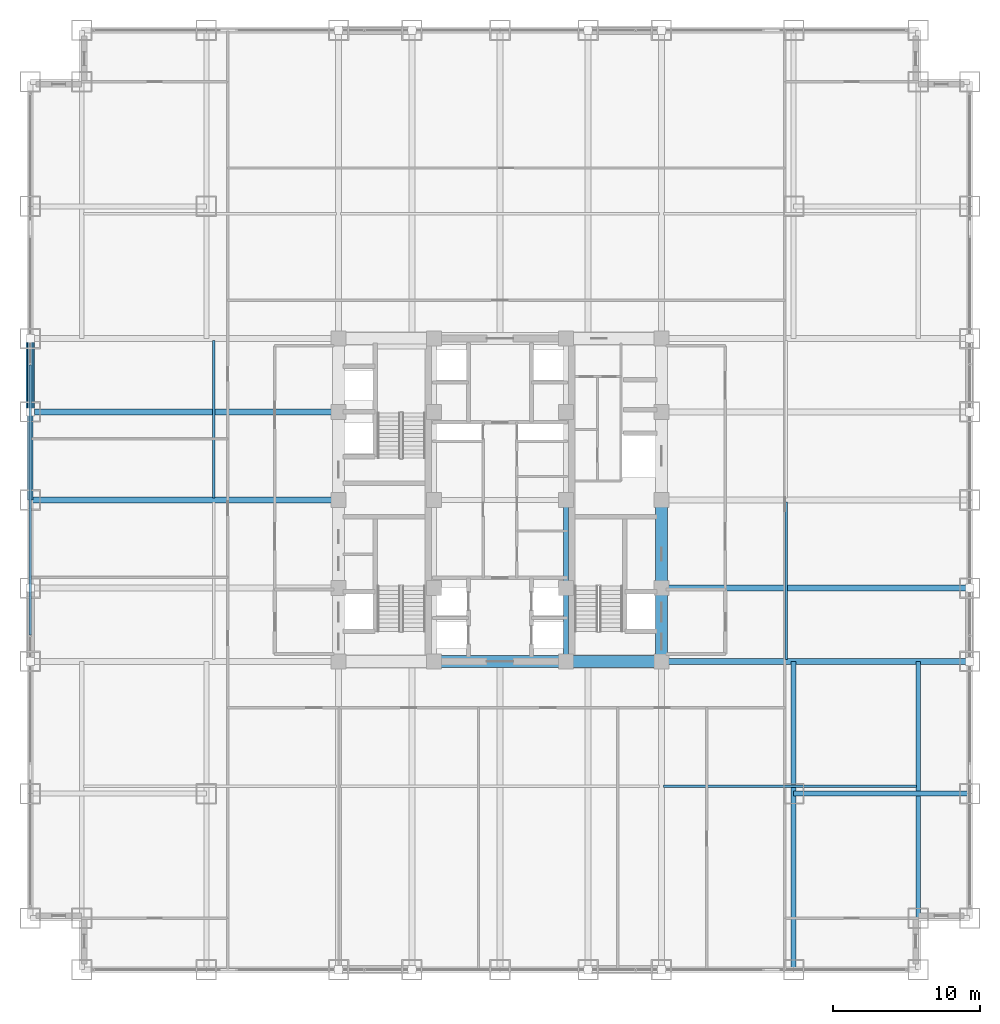
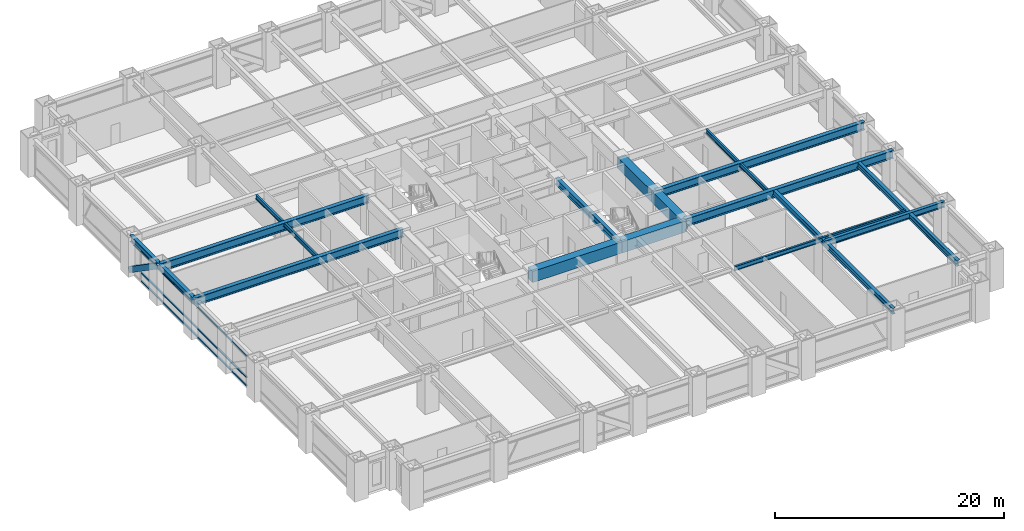
# One storey, part 11 of 27: 18 beams, 4 members, 1 element without a shape of its own.
"""IFC4 building model written with IfcOpenShell, lengths in metres."""

from ifc_helpers import new_model, si_unit, direction, frame, origin, origin_2d, place, context, subcontext, project, spatial, rectangle, hollow_rectangle, i_section, extrude, source, transform, mapped, material, material_profile, profile_set, type_object, element, aggregate, save


model = new_model("IFC4")

# Units and contexts
model_context = context("Model", 3, precision=1e-05, world=origin(), true_north=direction((0.0, 1.0)))
body_context = subcontext(model_context, "Body", "Model", "MODEL_VIEW")
ifc_project = project(units=[si_unit("LENGTHUNIT", "METRE"), si_unit("AREAUNIT", "SQUARE_METRE"), si_unit("VOLUMEUNIT", "CUBIC_METRE"), si_unit("PLANEANGLEUNIT", "RADIAN"), si_unit("MASSUNIT", "GRAM", prefix="KILO")], contexts=[model_context])

# Site, building, storey
site_placement = place(None, origin())
site = spatial("IfcSite", under=ifc_project, at=site_placement, CompositionType="ELEMENT")
building_placement = place(site_placement, origin())
building = spatial("IfcBuilding", under=site, at=building_placement, Name="Khorayat Bourse Tower", CompositionType="ELEMENT")
storey_placement = place(building_placement, frame((0.0, 0.0, 49.39990234375)))
storey = spatial("IfcBuildingStorey", under=building, at=storey_placement, Name="L10", CompositionType="ELEMENT", Elevation=49.39990234375)

# Beams
ifc_material_1 = material(Name="Concrete C72/90", Category="concrete")
ifc_material_profile_1 = material_profile(ifc_material_1, rectangle(XDim=0.800048828125, YDim=1.199951171875, at=origin_2d()), Name="RC 800x1200")
ifc_profile_set_1 = profile_set([ifc_material_profile_1], Name="Concrete C72/90")
beam_type_1 = type_object("IfcBeamType", Name="BM-COUP-1200", PredefinedType="BEAM", material=ifc_profile_set_1)
shared_shape_1 = source(origin(), body_context, "Body", "SweptSolid", [
    extrude(rectangle(XDim=0.800048828125, YDim=1.199951171875, at=origin_2d()), origin(), (0.0, 0.0, 1.0), 5.0),
])
beam_1_placement = place(storey_placement, frame((11.0, -11.0, 3.340087890625), z_axis=(0.0, 1.0, 0.0), x_axis=(-1.0, 0.0, 0.0)))
element("IfcBeam", 1, at=beam_1_placement, inside=storey, type_object=beam_type_1, Name="L10 BM-COUP-1200 BM-L10-CRX-13", PredefinedType="BEAM", context=body_context, shape_type="MappedRepresentation", body=[
    mapped(shared_shape_1, transform((0.0, 0.0, 0.0), scale=1.0)),
])
shared_shape_2 = source(origin(), body_context, "Body", "SweptSolid", [
    extrude(rectangle(XDim=0.800048828125, YDim=1.199951171875, at=origin_2d()), origin(), (0.0, 0.0, 1.0), 6.0),
])
beam_2_placement = place(storey_placement, frame((11.0, -6.0, 3.340087890625), z_axis=(0.0, 1.0, 0.0), x_axis=(-1.0, 0.0, 0.0)))
element("IfcBeam", 2, at=beam_2_placement, inside=storey, type_object=beam_type_1, Name="L10 BM-COUP-1200 BM-L10-CRX-14", PredefinedType="BEAM", context=body_context, shape_type="MappedRepresentation", body=[
    mapped(shared_shape_2, transform((0.0, 0.0, 0.0), scale=1.0)),
])
ifc_material_2 = material(Name="Steel ASTM A992 Grade 50", Category="steel")
ifc_material_profile_2 = material_profile(ifc_material_2, i_section(OverallWidth=0.35498046875, OverallDepth=0.695068359375, WebThickness=0.015380859375, FlangeThickness=0.02490234375, FilletRadius=0.01806640625, at=origin_2d()), Name="W690X217")
ifc_profile_set_2 = profile_set([ifc_material_profile_2], Name="Steel ASTM A992 Grade 50")
beam_type_2 = type_object("IfcBeamType", Name="BM-GIRD-690", PredefinedType="BEAM", material=ifc_profile_set_2)
shared_shape_3 = source(origin(), body_context, "Body", "SweptSolid", [
    extrude(i_section(OverallWidth=0.35498046875, OverallDepth=0.695068359375, WebThickness=0.015380859375, FlangeThickness=0.02490234375, FilletRadius=0.01806640625, at=origin_2d()), origin(), (0.0, 0.0, 1.0), 5.0),
])
beam_3_placement = place(storey_placement, frame((4.5, -11.0, 3.592529296875), z_axis=(0.0, 1.0, 0.0), x_axis=(-1.0, 0.0, 0.0)))
element("IfcBeam", 3, at=beam_3_placement, inside=storey, type_object=beam_type_2, Name="L10 BM-GIRD-690 BM-L10-CRX-09", PredefinedType="BEAM", context=body_context, shape_type="MappedRepresentation", body=[
    mapped(shared_shape_3, transform((0.0, 0.0, 0.0), scale=1.0)),
])
shared_shape_4 = source(origin(), body_context, "Body", "SweptSolid", [
    extrude(i_section(OverallWidth=0.35498046875, OverallDepth=0.695068359375, WebThickness=0.015380859375, FlangeThickness=0.02490234375, FilletRadius=0.01806640625, at=origin_2d()), origin(), (0.0, 0.0, 1.0), 6.0),
])
beam_4_placement = place(storey_placement, frame((4.5, -6.0, 3.592529296875), z_axis=(0.0, 1.0, 0.0), x_axis=(-1.0, 0.0, 0.0)))
element("IfcBeam", 4, at=beam_4_placement, inside=storey, type_object=beam_type_2, Name="L10 BM-GIRD-690 BM-L10-CRX-10", PredefinedType="BEAM", context=body_context, shape_type="MappedRepresentation", body=[
    mapped(shared_shape_4, transform((0.0, 0.0, 0.0), scale=1.0)),
])
shared_shape_5 = source(origin(), body_context, "Body", "SweptSolid", [
    extrude(rectangle(XDim=0.800048828125, YDim=1.199951171875, at=origin_2d()), origin(), (0.0, 0.0, 1.0), 6.5),
])
beam_5_placement = place(storey_placement, frame((4.5, -11.0, 3.340087890625), z_axis=(1.0, 0.0, 0.0), x_axis=(0.0, 1.0, 0.0)))
element("IfcBeam", 5, at=beam_5_placement, inside=storey, type_object=beam_type_1, Name="L10 BM-COUP-1200 BM-L10-CRY-19", PredefinedType="BEAM", context=body_context, shape_type="MappedRepresentation", body=[
    mapped(shared_shape_5, transform((0.0, 0.0, 0.0), scale=1.0)),
])
shared_shape_6 = source(origin(), body_context, "Body", "SweptSolid", [
    extrude(rectangle(XDim=0.800048828125, YDim=1.199951171875, at=origin_2d()), origin(), (0.0, 0.0, 1.0), 9.0),
])
beam_6_placement = place(storey_placement, frame((-4.5, -11.0, 3.340087890625), z_axis=(1.0, 0.0, 0.0), x_axis=(0.0, 1.0, 0.0)))
element("IfcBeam", 6, at=beam_6_placement, inside=storey, type_object=beam_type_1, Name="L10 BM-COUP-1200 BM-L10-CRY-18", PredefinedType="BEAM", context=body_context, shape_type="MappedRepresentation", body=[
    mapped(shared_shape_6, transform((0.0, 0.0, 0.0), scale=1.0)),
])
ifc_material_profile_3 = material_profile(ifc_material_2, i_section(OverallWidth=0.35498046875, OverallDepth=0.695068359375, WebThickness=0.015380859375, FlangeThickness=0.02490234375, FilletRadius=0.01806640625, at=origin_2d()), Name="W690X217")
ifc_profile_set_3 = profile_set([ifc_material_profile_3], Name="Steel ASTM A992 Grade 50")
beam_type_3 = type_object("IfcBeamType", Name="BM-SPAN-690", PredefinedType="SPANDREL", material=ifc_profile_set_3)
shared_shape_7 = source(origin(), body_context, "Body", "SweptSolid", [
    extrude(i_section(OverallWidth=0.35498046875, OverallDepth=0.695068359375, WebThickness=0.015380859375, FlangeThickness=0.02490234375, FilletRadius=0.01806640625, at=origin_2d()), origin(), (0.0, 0.0, 1.0), 5.0),
])
beam_7_placement = place(storey_placement, frame((-32.0, 6.0, 3.592529296875), z_axis=(0.0, 1.0, 0.0), x_axis=(-1.0, 0.0, 0.0)))
element("IfcBeam", 7, at=beam_7_placement, inside=storey, type_object=beam_type_3, Name="L10 BM-SPAN-690 BM-L10-SPN-056", PredefinedType="SPANDREL", context=body_context, shape_type="MappedRepresentation", body=[
    mapped(shared_shape_7, transform((0.0, 0.0, 0.0), scale=1.0)),
])
shared_shape_8 = source(origin(), body_context, "Body", "SweptSolid", [
    extrude(i_section(OverallWidth=0.35498046875, OverallDepth=0.695068359375, WebThickness=0.015380859375, FlangeThickness=0.02490234375, FilletRadius=0.01806640625, at=origin_2d()), origin(), (0.0, 0.0, 1.0), 6.0),
])
beam_8_placement = place(storey_placement, frame((-32.0, 0.0, 3.592529296875), z_axis=(0.0, 1.0, 0.0), x_axis=(-1.0, 0.0, 0.0)))
element("IfcBeam", 8, at=beam_8_placement, inside=storey, type_object=beam_type_3, Name="L10 BM-SPAN-690 BM-L10-SPN-057", PredefinedType="SPANDREL", context=body_context, shape_type="MappedRepresentation", body=[
    mapped(shared_shape_8, transform((0.0, 0.0, 0.0), scale=1.0)),
])
ifc_material_profile_4 = material_profile(ifc_material_2, i_section(OverallWidth=0.39990234375, OverallDepth=0.85498046875, WebThickness=0.018310546875, FlangeThickness=0.029296875, FilletRadius=0.02001953125, at=origin_2d()), Name="W840X299")
ifc_profile_set_4 = profile_set([ifc_material_profile_4], Name="Steel ASTM A992 Grade 50")
beam_type_4 = type_object("IfcBeamType", Name="BM-GIRD-840", PredefinedType="BEAM", material=ifc_profile_set_4)
shared_shape_9 = source(origin(), body_context, "Body", "SweptSolid", [
    extrude(i_section(OverallWidth=0.39990234375, OverallDepth=0.85498046875, WebThickness=0.018310546875, FlangeThickness=0.029296875, FilletRadius=0.02001953125, at=origin_2d()), origin(), (0.0, 0.0, 1.0), 21.0),
])
for number, where, z_axis, x_axis, name in (
    (9, (11.0, -11.0, 3.5126953125), (1.0, 0.0, 0.0), (0.0, 1.0, 0.0), "L10 BM-GIRD-840 BM-L10-RADX-074"),
    (10, (11.0, -6.0, 3.5126953125), (1.0, 0.0, 0.0), (0.0, 1.0, 0.0), "L10 BM-GIRD-840 BM-L10-RADX-076"),
    (11, (-32.0, 0.0, 3.5126953125), (1.0, 0.0, 0.0), (0.0, 1.0, 0.0), "L10 BM-GIRD-840 BM-L10-RADX-079"),
    (12, (-32.0, 6.0, 3.5126953125), (1.0, 0.0, 0.0), (0.0, 1.0, 0.0), "L10 BM-GIRD-840 BM-L10-RADX-081"),
):
    element("IfcBeam", number, at=place(storey_placement, frame(where, z_axis=z_axis, x_axis=x_axis)), inside=storey, type_object=beam_type_4, Name=name, PredefinedType="BEAM", context=body_context, shape_type="MappedRepresentation", body=[
        mapped(shared_shape_9, transform((0.0, 0.0, 0.0), scale=1.0)),
    ])
ifc_material_profile_5 = material_profile(ifc_material_2, i_section(OverallWidth=0.324951171875, OverallDepth=0.615966796875, WebThickness=0.013916015625, FlangeThickness=0.021484375, FilletRadius=0.01611328125, at=origin_2d()), Name="W610X174")
ifc_profile_set_5 = profile_set([ifc_material_profile_5], Name="Steel ASTM A992 Grade 50")
beam_type_5 = type_object("IfcBeamType", Name="BM-GIRD-610", PredefinedType="BEAM", material=ifc_profile_set_5)
shared_shape_10 = source(origin(), body_context, "Body", "SweptSolid", [
    extrude(i_section(OverallWidth=0.324951171875, OverallDepth=0.615966796875, WebThickness=0.013916015625, FlangeThickness=0.021484375, FilletRadius=0.01611328125, at=origin_2d()), origin(), (0.0, 0.0, 1.0), 21.0),
])
beam_9_placement = place(storey_placement, frame((20.0, -32.0, 3.632080078125), z_axis=(0.0, 1.0, 0.0), x_axis=(-1.0, 0.0, 0.0)))
element("IfcBeam", 13, at=beam_9_placement, inside=storey, type_object=beam_type_5, Name="L10 BM-GIRD-610 BM-L10-CNRY-086", PredefinedType="BEAM", context=body_context, shape_type="MappedRepresentation", body=[
    mapped(shared_shape_10, transform((0.0, 0.0, 0.0), scale=1.0)),
])
shared_shape_11 = source(origin(), body_context, "Body", "SweptSolid", [
    extrude(i_section(OverallWidth=0.324951171875, OverallDepth=0.615966796875, WebThickness=0.013916015625, FlangeThickness=0.021484375, FilletRadius=0.01611328125, at=origin_2d()), origin(), (0.0, 0.0, 1.0), 17.5),
])
beam_10_placement = place(storey_placement, frame((28.5, -28.5, 3.632080078125), z_axis=(0.0, 1.0, 0.0), x_axis=(-1.0, 0.0, 0.0)))
element("IfcBeam", 14, at=beam_10_placement, inside=storey, type_object=beam_type_5, Name="L10 BM-GIRD-610 BM-L10-CNRY-090", PredefinedType="BEAM", context=body_context, shape_type="MappedRepresentation", body=[
    mapped(shared_shape_11, transform((0.0, 0.0, 0.0), scale=1.0)),
])
shared_shape_12 = source(origin(), body_context, "Body", "SweptSolid", [
    extrude(i_section(OverallWidth=0.324951171875, OverallDepth=0.615966796875, WebThickness=0.013916015625, FlangeThickness=0.021484375, FilletRadius=0.01611328125, at=origin_2d()), origin(), (0.0, 0.0, 1.0), 12.0),
])
beam_11_placement = place(storey_placement, frame((20.0, -20.0, 3.632080078125), z_axis=(1.0, 0.0, 0.0), x_axis=(0.0, 1.0, 0.0)))
element("IfcBeam", 15, at=beam_11_placement, inside=storey, type_object=beam_type_5, Name="L10 BM-GIRD-610 BM-L10-CNRX-092", PredefinedType="BEAM", context=body_context, shape_type="MappedRepresentation", body=[
    mapped(shared_shape_12, transform((0.0, 0.0, 0.0), scale=1.0)),
])
ifc_material_profile_6 = material_profile(ifc_material_2, i_section(OverallWidth=0.194091796875, OverallDepth=0.468994140625, WebThickness=0.0126953125, FlangeThickness=0.0205078125, FilletRadius=0.012939453125, at=origin_2d()), Name="W460X106")
ifc_profile_set_6 = profile_set([ifc_material_profile_6], Name="Steel ASTM A992 Grade 50")
beam_type_6 = type_object("IfcBeamType", Name="BM-JOIST-460", PredefinedType="JOIST", material=ifc_profile_set_6)
shared_shape_13 = source(origin(), body_context, "Body", "SweptSolid", [
    extrude(i_section(OverallWidth=0.194091796875, OverallDepth=0.468994140625, WebThickness=0.0126953125, FlangeThickness=0.0205078125, FilletRadius=0.012939453125, at=origin_2d()), origin(), (0.0, 0.0, 1.0), 17.240234375),
])
beam_12_placement = place(storey_placement, frame((11.1298828125, -19.5, 3.70556640625), z_axis=(1.0, 0.0, 0.0), x_axis=(0.0, 1.0, 0.0)))
element("IfcBeam", 16, at=beam_12_placement, inside=storey, type_object=beam_type_6, Name="L10 BM-JOIST-460 BM-L10-JSTX-098", PredefinedType="JOIST", context=body_context, shape_type="MappedRepresentation", body=[
    mapped(shared_shape_13, transform((0.0, 0.0, 0.0), scale=1.0)),
])
shared_shape_14 = source(origin(), body_context, "Body", "SweptSolid", [
    extrude(i_section(OverallWidth=0.194091796875, OverallDepth=0.468994140625, WebThickness=0.0126953125, FlangeThickness=0.0205078125, FilletRadius=0.012939453125, at=origin_2d()), origin(), (0.0, 0.0, 1.0), 10.740234375),
])
for number, where, z_axis, x_axis, name in (
    (17, (-19.5, 0.1298828125, 3.70556640625), (0.0, 1.0, 0.0), (-1.0, 0.0, 0.0), "L10 BM-JOIST-460 BM-L10-JSTY-103"),
    (18, (19.5, -10.8701171875, 3.70556640625), (0.0, 1.0, 0.0), (-1.0, 0.0, 0.0), "L10 BM-JOIST-460 BM-L10-JSTY-104"),
):
    element("IfcBeam", number, at=place(storey_placement, frame(where, z_axis=z_axis, x_axis=x_axis)), inside=storey, type_object=beam_type_6, Name=name, PredefinedType="JOIST", context=body_context, shape_type="MappedRepresentation", body=[
        mapped(shared_shape_14, transform((0.0, 0.0, 0.0), scale=1.0)),
    ])

# Member
ifc_material_3 = material(Name="Steel EN 10025-4 S460M", Category="steel")
ifc_material_profile_7 = material_profile(ifc_material_3, hollow_rectangle(XDim=0.550048828125, YDim=0.550048828125, WallThickness=0.031982421875, at=origin_2d()), Name="HSS 550x550x32")
ifc_profile_set_7 = profile_set([ifc_material_profile_7], Name="Steel EN 10025-4 S460M")
member_type_1 = type_object("IfcMemberType", Name="MBR-TUBE-550", PredefinedType="BRACE", material=ifc_profile_set_7)
shared_shape_15 = source(origin(), body_context, "Body", "SweptSolid", [
    extrude(hollow_rectangle(XDim=0.550048828125, YDim=0.550048828125, WallThickness=0.031982421875, at=origin_2d()), origin(), (0.0, 0.0, 1.0), 6.069091796875),
])
member_1_placement = place(storey_placement, frame((-32.0, 6.0, 3.690185546875), z_axis=(0.0, 0.823835295996, -0.566829255659), x_axis=(-1.0, 0.0, 0.0)))
element("IfcMember", 19, at=member_1_placement, inside=storey, type_object=member_type_1, Name="L10 Perimeter Tube Brace 06", PredefinedType="BRACE", context=body_context, shape_type="MappedRepresentation", body=[
    mapped(shared_shape_15, transform((0.0, 0.0, 0.0), scale=1.0)),
])

# Curtain wall, members
ifc_material_4 = material(Name="Aluminium EN AW-6063 T6", Category="aluminium")
curtain_wall_type = type_object("IfcCurtainWallType", Name="CW-SYS-02", PredefinedType="NOTDEFINED", material=ifc_material_4)
curtain_wall_placement = place(storey_placement, origin())
curtain_wall = element("IfcCurtainWall", 20, at=curtain_wall_placement, inside=storey, type_object=curtain_wall_type, Name="L10 Curtain Wall CW-L10-W1", PredefinedType="NOTDEFINED")
ifc_material_profile_8 = material_profile(ifc_material_4, hollow_rectangle(XDim=0.139892578125, YDim=0.139892578125, WallThickness=0.006103515625, at=origin_2d()), Name="ALU 140x140x6")
ifc_profile_set_8 = profile_set([ifc_material_profile_8], Name="Aluminium EN AW-6063 T6")
member_type_2 = type_object("IfcMemberType", Name="CWT-HORZ-140", PredefinedType="USERDEFINED", material=ifc_profile_set_8)
shared_shape_16 = source(origin(), body_context, "Body", "SweptSolid", [
    extrude(hollow_rectangle(XDim=0.139892578125, YDim=0.139892578125, WallThickness=0.006103515625, at=origin_2d()), origin(), (0.0, 0.0, 1.0), 18.35986328125),
])
member_2_placement = place(storey_placement, frame((-32.0, -9.179931640625, 0.070068359375), z_axis=(0.0, 1.0, 0.0), x_axis=(-1.0, 0.0, 0.0)))
member_2 = element("IfcMember", 21, at=member_2_placement, type_object=member_type_2, Name="CW-L10-W1 Horizontal Transom 2-1", ObjectType="TRANSOM", PredefinedType="USERDEFINED", context=body_context, shape_type="MappedRepresentation", body=[
    mapped(shared_shape_16, transform((0.0, 0.0, 0.0), scale=1.0)),
])
member_3_placement = place(storey_placement, frame((-32.0, -9.179931640625, 0.9501953125), z_axis=(0.0, 1.0, 0.0), x_axis=(-1.0, 0.0, 0.0)))
member_3 = element("IfcMember", 22, at=member_3_placement, type_object=member_type_2, Name="CW-L10-W1 Horizontal Transom 2-2", ObjectType="TRANSOM", PredefinedType="USERDEFINED", context=body_context, shape_type="MappedRepresentation", body=[
    mapped(shared_shape_16, transform((0.0, 0.0, 0.0), scale=1.0)),
])
member_4_placement = place(storey_placement, frame((-32.0, -9.179931640625, 3.22021484375), z_axis=(0.0, 1.0, 0.0), x_axis=(-1.0, 0.0, 0.0)))
member_4 = element("IfcMember", 23, at=member_4_placement, type_object=member_type_2, Name="CW-L10-W1 Horizontal Transom 2-3", ObjectType="TRANSOM", PredefinedType="USERDEFINED", context=body_context, shape_type="MappedRepresentation", body=[
    mapped(shared_shape_16, transform((0.0, 0.0, 0.0), scale=1.0)),
])
aggregate(curtain_wall, [member_2, member_3, member_4])

save(model, "model.ifc")
